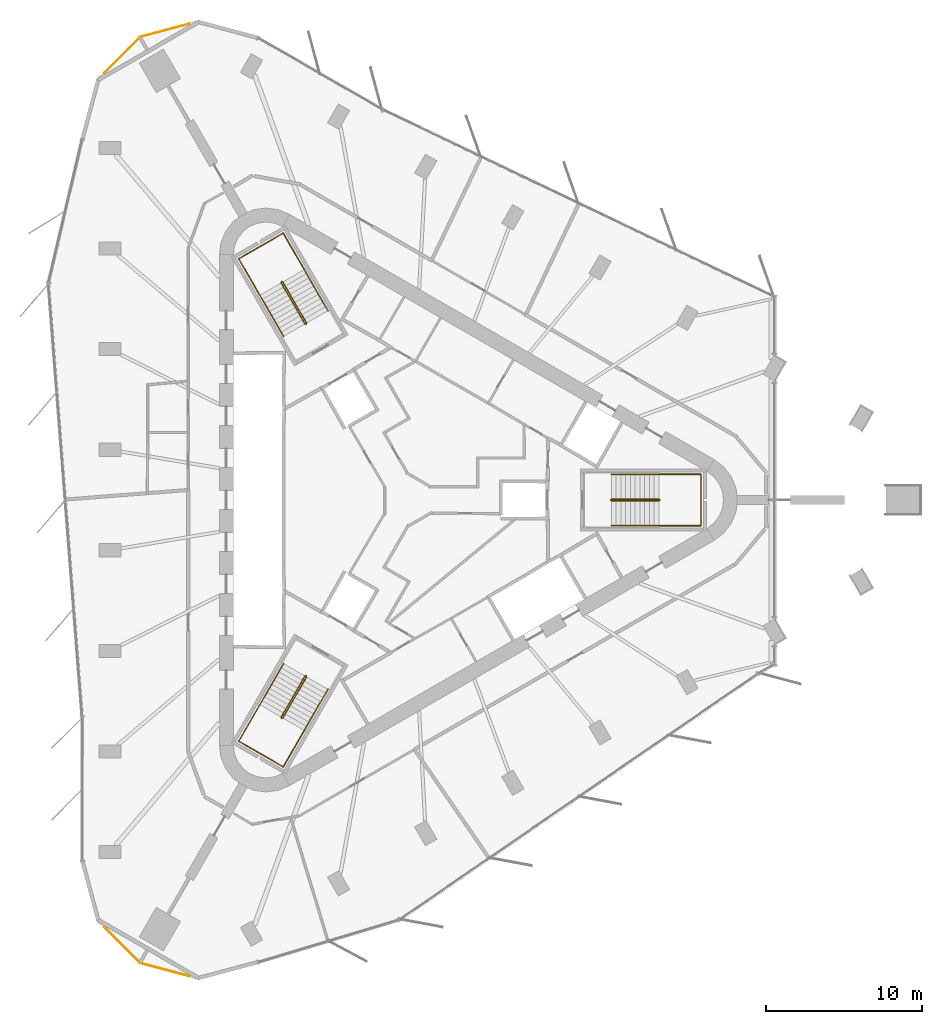
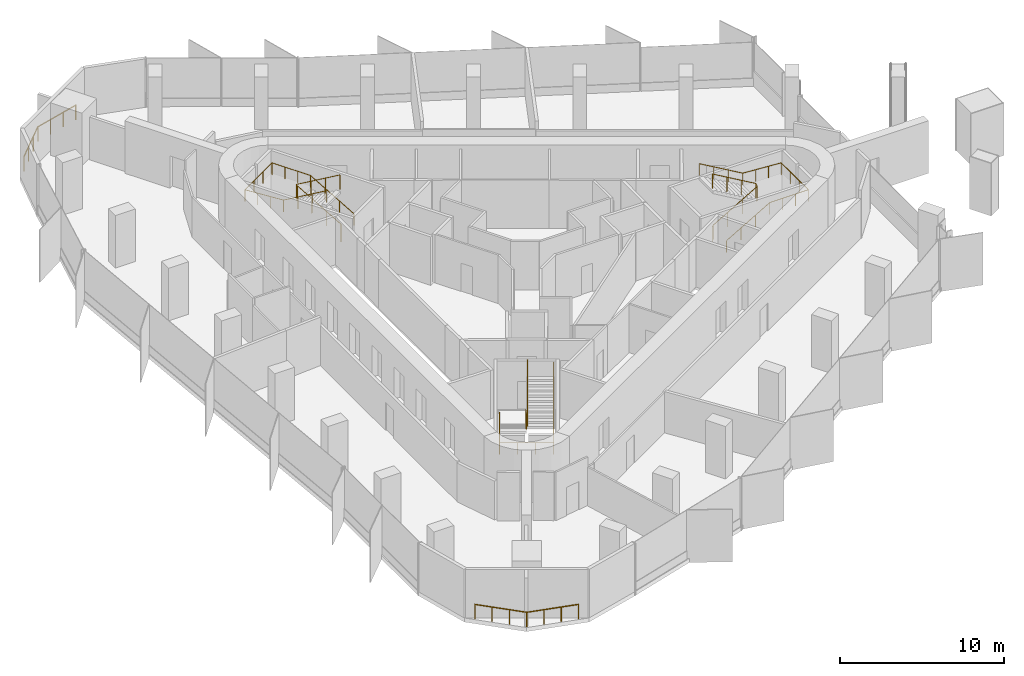
# One storey, part 12 of 12: 8 railings.
"""IFC4 building model written with IfcOpenShell, lengths in metres."""

from ifc_helpers import new_model, si_unit, direction, frame, origin, origin_2d, place, context, subcontext, project, spatial, circle, extrude, material, type_object, element, save


model = new_model("IFC4")

# Units and contexts
model_context = context("Model", 3, precision=1e-05, world=origin(), true_north=direction((0.0, 1.0)))
body_context = subcontext(model_context, "Body", "Model", "MODEL_VIEW")
ifc_project = project(units=[si_unit("LENGTHUNIT", "METRE"), si_unit("AREAUNIT", "SQUARE_METRE"), si_unit("VOLUMEUNIT", "CUBIC_METRE"), si_unit("PLANEANGLEUNIT", "RADIAN"), si_unit("MASSUNIT", "GRAM", prefix="KILO")], contexts=[model_context])

# Site, building, storey
site_placement = place(None, origin())
site = spatial("IfcSite", under=ifc_project, at=site_placement, CompositionType="ELEMENT")
building_placement = place(site_placement, origin())
building = spatial("IfcBuilding", under=site, at=building_placement, Name="Tanit Gate Tower", CompositionType="ELEMENT")
storey_placement = place(building_placement, frame((0.0, 0.0, 372.800048828125)))
storey = spatial("IfcBuildingStorey", under=building, at=storey_placement, Name="L85", CompositionType="ELEMENT", Elevation=372.800048828125)

# Railings
ifc_material_1 = material(Name="Stainless steel", Category="steel")
railing_type_1 = type_object("IfcRailingType", Name="Guard 1100 stainless steel balustrade", PredefinedType="GUARDRAIL", material=ifc_material_1)
railing_1_placement = place(storey_placement, frame((-14.027587890625, -30.60205078125, 0.0)))
element("IfcRailing", 1, at=railing_1_placement, inside=storey, type_object=railing_type_1, Name="Corner ledge guard L85 1", PredefinedType="GUARDRAIL", context=body_context, shape_type="SweptSolid", body=[
    extrude(circle(Radius=0.02392578125, at=origin_2d()), frame((0.0, 0.0, 1.076171875), z_axis=(-0.965931358652, 0.258798397161, 0.0), x_axis=(-0.258798397161, -0.965931358652, 0.0)), (0.0, 0.0, 1.0), 3.263916015625),
    extrude(circle(Radius=0.02392578125, at=origin_2d()), frame((-3.15283203125, 0.8447265625, 1.076171875), z_axis=(-0.707069380992, 0.707144179403, 0.0), x_axis=(-0.707144179403, -0.707069380992, 0.0)), (0.0, 0.0, 1.0), 3.263916015625),
    extrude(circle(Radius=0.02099609375, at=origin_2d()), origin(), (0.0, 0.0, 1.0), 1.052001953125),
    extrude(circle(Radius=0.02099609375, at=origin_2d()), frame((-1.051025390625, 0.281494140625, 0.0)), (0.0, 0.0, 1.0), 1.052001953125),
    extrude(circle(Radius=0.02099609375, at=origin_2d()), frame((-2.101806640625, 0.563232421875, 0.0)), (0.0, 0.0, 1.0), 1.052001953125),
    extrude(circle(Radius=0.02099609375, at=origin_2d()), frame((-3.15283203125, 0.8447265625, 0.0)), (0.0, 0.0, 1.0), 1.052001953125),
    extrude(circle(Radius=0.02099609375, at=origin_2d()), frame((-3.922119140625, 1.614013671875, 0.0)), (0.0, 0.0, 1.0), 1.052001953125),
    extrude(circle(Radius=0.02099609375, at=origin_2d()), frame((-4.69140625, 2.383544921875, 0.0)), (0.0, 0.0, 1.0), 1.052001953125),
    extrude(circle(Radius=0.02099609375, at=origin_2d()), frame((-5.460693359375, 3.15283203125, 0.0)), (0.0, 0.0, 1.0), 1.052001953125),
])
railing_2_placement = place(storey_placement, frame((-19.48828125, 27.44921875, 0.0)))
element("IfcRailing", 2, at=railing_2_placement, inside=storey, type_object=railing_type_1, Name="Corner ledge guard L85 2", PredefinedType="GUARDRAIL", context=body_context, shape_type="SweptSolid", body=[
    extrude(circle(Radius=0.02392578125, at=origin_2d()), frame((0.0, 0.0, 1.076171875), z_axis=(0.707069380992, 0.707144179403, 0.0), x_axis=(-0.707144179403, 0.707069380992, 0.0)), (0.0, 0.0, 1.0), 3.263916015625),
    extrude(circle(Radius=0.02392578125, at=origin_2d()), frame((2.307861328125, 2.30810546875, 1.076171875), z_axis=(0.965931358652, 0.258798397161, 0.0), x_axis=(-0.258798397161, 0.965931358652, 0.0)), (0.0, 0.0, 1.0), 3.263916015625),
    extrude(circle(Radius=0.02099609375, at=origin_2d()), origin(), (0.0, 0.0, 1.0), 1.052001953125),
    extrude(circle(Radius=0.02099609375, at=origin_2d()), frame((0.769287109375, 0.769287109375, 0.0)), (0.0, 0.0, 1.0), 1.052001953125),
    extrude(circle(Radius=0.02099609375, at=origin_2d()), frame((1.53857421875, 1.538818359375, 0.0)), (0.0, 0.0, 1.0), 1.052001953125),
    extrude(circle(Radius=0.02099609375, at=origin_2d()), frame((2.307861328125, 2.30810546875, 0.0)), (0.0, 0.0, 1.0), 1.052001953125),
    extrude(circle(Radius=0.02099609375, at=origin_2d()), frame((3.35888671875, 2.589599609375, 0.0)), (0.0, 0.0, 1.0), 1.052001953125),
    extrude(circle(Radius=0.02099609375, at=origin_2d()), frame((4.40966796875, 2.871337890625, 0.0)), (0.0, 0.0, 1.0), 1.052001953125),
    extrude(circle(Radius=0.02099609375, at=origin_2d()), frame((5.460693359375, 3.15283203125, 0.0)), (0.0, 0.0, 1.0), 1.052001953125),
])
ifc_material_2 = material(Name="Stainless steel balustrade", Category="steel")
railing_type_2 = type_object("IfcRailingType", Name="INT-STAIR-GUARD", PredefinedType="GUARDRAIL", material=ifc_material_2)
railing_3_placement = place(storey_placement, frame((13.044921875, 0.0048828125, 0.0)))
element("IfcRailing", 3, at=railing_3_placement, inside=storey, type_object=railing_type_2, Name="L85 S1 stair guard 1", PredefinedType="GUARDRAIL", context=body_context, shape_type="SweptSolid", body=[
    extrude(circle(Radius=0.02392578125, at=origin_2d()), frame((0.0, 0.0, 1.076171875), z_axis=(0.0, -1.0, 0.0), x_axis=(1.0, 0.0, 0.0)), (0.0, 0.0, 1.0), 0.009765625),
    extrude(circle(Radius=0.02392578125, at=origin_2d()), frame((0.0, -0.009765625, 1.076171875), z_axis=(0.262233686654, -0.262233686654, 0.928691007369), x_axis=(0.707106781187, 0.707106781187, 0.0)), (0.0, 0.0, 1.0), 0.19091796875),
    extrude(circle(Radius=0.02392578125, at=origin_2d()), frame((0.050048828125, -0.059814453125, 1.25341796875), z_axis=(0.864648382064, 0.0, 0.502377522779), x_axis=(0.0, 1.0, 0.0)), (0.0, 0.0, 1.0), 3.528564453125),
    extrude(circle(Radius=0.02392578125, at=origin_2d()), frame((3.10107421875, -0.059814453125, 3.02587890625), z_axis=(0.707106781187, 0.707106781187, 0.0), x_axis=(-0.707106781187, 0.707106781187, 0.0)), (0.0, 0.0, 1.0), 0.07080078125),
    extrude(circle(Radius=0.02392578125, at=origin_2d()), frame((3.151123046875, -0.009765625, 3.02587890625), z_axis=(0.0, 1.0, 0.0), x_axis=(-1.0, 0.0, 0.0)), (0.0, 0.0, 1.0), 0.009765625),
    extrude(circle(Radius=0.02392578125, at=origin_2d()), frame((3.151123046875, 0.0, 3.02587890625), z_axis=(-0.262233686654, 0.262233686654, 0.928691007369), x_axis=(-0.707106781187, -0.707106781187, 0.0)), (0.0, 0.0, 1.0), 0.19091796875),
    extrude(circle(Radius=0.02392578125, at=origin_2d()), frame((3.10107421875, 0.050048828125, 3.203125), z_axis=(-0.864648382064, 0.0, 0.502377522779), x_axis=(0.0, -1.0, 0.0)), (0.0, 0.0, 1.0), 3.528564453125),
    extrude(circle(Radius=0.02099609375, at=origin_2d()), origin(), (0.0, 0.0, 1.0), 1.052001953125),
    extrude(circle(Radius=0.02099609375, at=origin_2d()), frame((0.0, -0.009765625, 0.0)), (0.0, 0.0, 1.0), 1.052001953125),
    extrude(circle(Radius=0.02099609375, at=origin_2d()), frame((0.050048828125, -0.059814453125, 0.17724609375)), (0.0, 0.0, 1.0), 1.052001953125),
    extrude(circle(Radius=0.02099609375, at=origin_2d()), frame((1.067138671875, -0.059814453125, 0.76806640625)), (0.0, 0.0, 1.0), 1.052001953125),
    extrude(circle(Radius=0.02099609375, at=origin_2d()), frame((2.083984375, -0.059814453125, 1.359130859375)), (0.0, 0.0, 1.0), 1.052001953125),
    extrude(circle(Radius=0.02099609375, at=origin_2d()), frame((3.10107421875, -0.059814453125, 1.949951171875)), (0.0, 0.0, 1.0), 1.052001953125),
    extrude(circle(Radius=0.02099609375, at=origin_2d()), frame((3.151123046875, -0.009765625, 1.949951171875)), (0.0, 0.0, 1.0), 1.052001953125),
    extrude(circle(Radius=0.02099609375, at=origin_2d()), frame((3.151123046875, 0.0, 1.949951171875)), (0.0, 0.0, 1.0), 1.052001953125),
    extrude(circle(Radius=0.02099609375, at=origin_2d()), frame((3.10107421875, 0.050048828125, 2.127197265625)), (0.0, 0.0, 1.0), 1.052001953125),
    extrude(circle(Radius=0.02099609375, at=origin_2d()), frame((2.083984375, 0.050048828125, 2.718017578125)), (0.0, 0.0, 1.0), 1.052001953125),
    extrude(circle(Radius=0.02099609375, at=origin_2d()), frame((1.067138671875, 0.050048828125, 3.30908203125)), (0.0, 0.0, 1.0), 1.052001953125),
    extrude(circle(Radius=0.02099609375, at=origin_2d()), frame((0.050048828125, 0.050048828125, 3.89990234375)), (0.0, 0.0, 1.0), 1.052001953125),
])
railing_4_placement = place(storey_placement, frame((-6.527099609375, 11.29345703125, 0.0)))
element("IfcRailing", 4, at=railing_4_placement, inside=storey, type_object=railing_type_2, Name="L85 S2 stair guard 1", PredefinedType="GUARDRAIL", context=body_context, shape_type="SweptSolid", body=[
    extrude(circle(Radius=0.02392578125, at=origin_2d()), frame((0.0, 0.0, 1.076171875), z_axis=(0.868243142124, 0.496138938357, 0.0), x_axis=(-0.496138938357, 0.868243142124, 0.0)), (0.0, 0.0, 1.0), 0.01171875),
    extrude(circle(Radius=0.02392578125, at=origin_2d()), frame((0.01025390625, 0.005859375, 1.076171875), z_axis=(0.095941116058, 0.358180166617, 0.928710003441), x_axis=(-0.965948051503, 0.258736085224, 0.0)), (0.0, 0.0, 1.0), 0.19091796875),
    extrude(circle(Radius=0.02392578125, at=origin_2d()), frame((0.028564453125, 0.07421875, 1.25341796875), z_axis=(-0.4322777601, 0.748681545756, 0.50260509465), x_axis=(-0.866012246495, -0.500022788402, 0.0)), (0.0, 0.0, 1.0), 3.527099609375),
    extrude(circle(Radius=0.02392578125, at=origin_2d()), frame((-1.49609375, 2.71484375, 3.02587890625), z_axis=(-0.965715946433, 0.259601060869, 0.0), x_axis=(-0.259601060869, -0.965715946433, 0.0)), (0.0, 0.0, 1.0), 0.070556640625),
    extrude(circle(Radius=0.02392578125, at=origin_2d()), frame((-1.564208984375, 2.733154296875, 3.02587890625), z_axis=(-0.873197702015, -0.487366159264, 0.0), x_axis=(0.487366159264, -0.873197702015, 0.0)), (0.0, 0.0, 1.0), 0.011962890625),
    extrude(circle(Radius=0.02392578125, at=origin_2d()), frame((-1.57470703125, 2.727294921875, 3.02587890625), z_axis=(-0.095941116058, -0.358180166617, 0.928710003441), x_axis=(0.965948051503, -0.258736085224, 0.0)), (0.0, 0.0, 1.0), 0.19091796875),
    extrude(circle(Radius=0.02392578125, at=origin_2d()), frame((-1.593017578125, 2.658935546875, 3.203125), z_axis=(0.4322777601, -0.748681545756, 0.50260509465), x_axis=(0.866012246495, 0.500022788402, 0.0)), (0.0, 0.0, 1.0), 3.527099609375),
    extrude(circle(Radius=0.02099609375, at=origin_2d()), origin(), (0.0, 0.0, 1.0), 1.052001953125),
    extrude(circle(Radius=0.02099609375, at=origin_2d()), frame((0.01025390625, 0.005859375, 0.0)), (0.0, 0.0, 1.0), 1.052001953125),
    extrude(circle(Radius=0.02099609375, at=origin_2d()), frame((0.028564453125, 0.07421875, 0.17724609375)), (0.0, 0.0, 1.0), 1.052001953125),
    extrude(circle(Radius=0.02099609375, at=origin_2d()), frame((-0.479736328125, 0.954345703125, 0.76806640625)), (0.0, 0.0, 1.0), 1.052001953125),
    extrude(circle(Radius=0.02099609375, at=origin_2d()), frame((-0.98779296875, 1.834716796875, 1.359130859375)), (0.0, 0.0, 1.0), 1.052001953125),
    extrude(circle(Radius=0.02099609375, at=origin_2d()), frame((-1.49609375, 2.71484375, 1.949951171875)), (0.0, 0.0, 1.0), 1.052001953125),
    extrude(circle(Radius=0.02099609375, at=origin_2d()), frame((-1.564208984375, 2.733154296875, 1.949951171875)), (0.0, 0.0, 1.0), 1.052001953125),
    extrude(circle(Radius=0.02099609375, at=origin_2d()), frame((-1.57470703125, 2.727294921875, 1.949951171875)), (0.0, 0.0, 1.0), 1.052001953125),
    extrude(circle(Radius=0.02099609375, at=origin_2d()), frame((-1.593017578125, 2.658935546875, 2.127197265625)), (0.0, 0.0, 1.0), 1.052001953125),
    extrude(circle(Radius=0.02099609375, at=origin_2d()), frame((-1.084716796875, 1.77880859375, 2.718017578125)), (0.0, 0.0, 1.0), 1.052001953125),
    extrude(circle(Radius=0.02099609375, at=origin_2d()), frame((-0.57666015625, 0.8984375, 3.30908203125)), (0.0, 0.0, 1.0), 1.052001953125),
    extrude(circle(Radius=0.02099609375, at=origin_2d()), frame((-0.068359375, 0.018310546875, 3.89990234375)), (0.0, 0.0, 1.0), 1.052001953125),
])
railing_5_placement = place(storey_placement, frame((-6.51806640625, -11.2998046875, 0.0)))
element("IfcRailing", 5, at=railing_5_placement, inside=storey, type_object=railing_type_2, Name="L85 S3 stair guard 1", PredefinedType="GUARDRAIL", context=body_context, shape_type="SweptSolid", body=[
    extrude(circle(Radius=0.02392578125, at=origin_2d()), frame((0.0, 0.0, 1.076171875), z_axis=(-0.874157276122, 0.485642931179, 0.0), x_axis=(-0.485642931179, -0.874157276122, 0.0)), (0.0, 0.0, 1.0), 0.010009765625),
    extrude(circle(Radius=0.02392578125, at=origin_2d()), frame((-0.0087890625, 0.0048828125, 1.076171875), z_axis=(-0.358223840744, -0.094673443625, 0.928823244215), x_axis=(0.255512919477, -0.966805641264, 0.0)), (0.0, 0.0, 1.0), 0.19091796875),
    extrude(circle(Radius=0.02392578125, at=origin_2d()), frame((-0.0771484375, -0.01318359375, 1.25341796875), z_axis=(-0.432289778901, -0.748827189027, 0.502377734411), x_axis=(0.866048339477, -0.499960272111, 0.0)), (0.0, 0.0, 1.0), 3.528564453125),
    extrude(circle(Radius=0.02392578125, at=origin_2d()), frame((-1.6025390625, -2.655517578125, 3.02587890625), z_axis=(0.258736085224, -0.965948051503, 0.0), x_axis=(0.965948051503, 0.258736085224, 0.0)), (0.0, 0.0, 1.0), 0.07080078125),
    extrude(circle(Radius=0.02392578125, at=origin_2d()), frame((-1.584228515625, -2.723876953125, 3.02587890625), z_axis=(0.868243142124, -0.496138938357, 0.0), x_axis=(0.496138938357, 0.868243142124, 0.0)), (0.0, 0.0, 1.0), 0.009765625),
    extrude(circle(Radius=0.02392578125, at=origin_2d()), frame((-1.57568359375, -2.728759765625, 3.02587890625), z_axis=(0.358180166617, 0.095941116058, 0.928710003441), x_axis=(-0.258736085224, 0.965948051503, 0.0)), (0.0, 0.0, 1.0), 0.19091796875),
    extrude(circle(Radius=0.02392578125, at=origin_2d()), frame((-1.50732421875, -2.71044921875, 3.203125), z_axis=(0.432368434633, 0.748774395838, 0.502388734816), x_axis=(-0.865993683553, 0.500054937028, 0.0)), (0.0, 0.0, 1.0), 3.528564453125),
    extrude(circle(Radius=0.02099609375, at=origin_2d()), origin(), (0.0, 0.0, 1.0), 1.052001953125),
    extrude(circle(Radius=0.02099609375, at=origin_2d()), frame((-0.0087890625, 0.0048828125, 0.0)), (0.0, 0.0, 1.0), 1.052001953125),
    extrude(circle(Radius=0.02099609375, at=origin_2d()), frame((-0.0771484375, -0.01318359375, 0.17724609375)), (0.0, 0.0, 1.0), 1.052001953125),
    extrude(circle(Radius=0.02099609375, at=origin_2d()), frame((-0.585693359375, -0.89404296875, 0.76806640625)), (0.0, 0.0, 1.0), 1.052001953125),
    extrude(circle(Radius=0.02099609375, at=origin_2d()), frame((-1.093994140625, -1.774658203125, 1.359130859375)), (0.0, 0.0, 1.0), 1.052001953125),
    extrude(circle(Radius=0.02099609375, at=origin_2d()), frame((-1.6025390625, -2.655517578125, 1.949951171875)), (0.0, 0.0, 1.0), 1.052001953125),
    extrude(circle(Radius=0.02099609375, at=origin_2d()), frame((-1.584228515625, -2.723876953125, 1.949951171875)), (0.0, 0.0, 1.0), 1.052001953125),
    extrude(circle(Radius=0.02099609375, at=origin_2d()), frame((-1.57568359375, -2.728759765625, 1.949951171875)), (0.0, 0.0, 1.0), 1.052001953125),
    extrude(circle(Radius=0.02099609375, at=origin_2d()), frame((-1.50732421875, -2.71044921875, 2.127197265625)), (0.0, 0.0, 1.0), 1.052001953125),
    extrude(circle(Radius=0.02099609375, at=origin_2d()), frame((-0.998779296875, -1.829833984375, 2.718017578125)), (0.0, 0.0, 1.0), 1.052001953125),
    extrude(circle(Radius=0.02099609375, at=origin_2d()), frame((-0.490234375, -0.948974609375, 3.30908203125)), (0.0, 0.0, 1.0), 1.052001953125),
    extrude(circle(Radius=0.02099609375, at=origin_2d()), frame((0.018310546875, -0.068359375, 3.89990234375)), (0.0, 0.0, 1.0), 1.052001953125),
])
ifc_material_3 = material(Name="Stainless steel handrail", Category="steel")
railing_type_3 = type_object("IfcRailingType", Name="INT-STAIR-HANDRAIL", PredefinedType="HANDRAIL", material=ifc_material_3)
railing_6_placement = place(storey_placement, frame((13.094970703125, -1.64990234375, 0.17724609375)))
element("IfcRailing", 6, at=railing_6_placement, inside=storey, type_object=railing_type_3, Name="L85 S1 stair handrail 1", PredefinedType="HANDRAIL", context=body_context, shape_type="SweptSolid", body=[
    extrude(circle(Radius=0.02392578125, at=origin_2d()), frame((0.0, 0.0, 0.8759765625), z_axis=(0.864648382064, 0.0, 0.502377522779), x_axis=(0.0, 1.0, 0.0)), (0.0, 0.0, 1.0), 3.528564453125),
    extrude(circle(Radius=0.02392578125, at=origin_2d()), frame((3.051025390625, 0.0, 2.6484375), z_axis=(1.0, 0.0, 0.0), x_axis=(0.0, 1.0, 0.0)), (0.0, 0.0, 1.0), 2.7041015625),
    extrude(circle(Radius=0.02392578125, at=origin_2d()), frame((5.755126953125, 0.0, 2.6484375), z_axis=(0.0, 1.0, 0.0), x_axis=(-1.0, 0.0, 0.0)), (0.0, 0.0, 1.0), 3.2998046875),
    extrude(circle(Radius=0.02392578125, at=origin_2d()), frame((5.755126953125, 3.2998046875, 2.6484375), z_axis=(-0.997858684482, 0.0, 0.065406771843), x_axis=(0.0, -1.0, 0.0)), (0.0, 0.0, 1.0), 2.7099609375),
    extrude(circle(Radius=0.02392578125, at=origin_2d()), frame((3.051025390625, 3.2998046875, 2.82568359375), z_axis=(-0.864648382064, 0.0, 0.502377522779), x_axis=(0.0, -1.0, 0.0)), (0.0, 0.0, 1.0), 3.528564453125),
    extrude(circle(Radius=0.02099609375, at=origin_2d()), origin(), (0.0, 0.0, 1.0), 0.851806640625),
    extrude(circle(Radius=0.02099609375, at=origin_2d()), frame((1.01708984375, 0.0, 0.5908203125)), (0.0, 0.0, 1.0), 0.851806640625),
    extrude(circle(Radius=0.02099609375, at=origin_2d()), frame((2.033935546875, 0.0, 1.181884765625)), (0.0, 0.0, 1.0), 0.851806640625),
    extrude(circle(Radius=0.02099609375, at=origin_2d()), frame((3.051025390625, 0.0, 1.772705078125)), (0.0, 0.0, 1.0), 0.851806640625),
    extrude(circle(Radius=0.02099609375, at=origin_2d()), frame((3.952392578125, 0.0, 1.772705078125)), (0.0, 0.0, 1.0), 0.851806640625),
    extrude(circle(Radius=0.02099609375, at=origin_2d()), frame((4.853759765625, 0.0, 1.772705078125)), (0.0, 0.0, 1.0), 0.851806640625),
    extrude(circle(Radius=0.02099609375, at=origin_2d()), frame((5.755126953125, 0.0, 1.772705078125)), (0.0, 0.0, 1.0), 0.851806640625),
    extrude(circle(Radius=0.02099609375, at=origin_2d()), frame((5.755126953125, 1.099853515625, 1.772705078125)), (0.0, 0.0, 1.0), 0.851806640625),
    extrude(circle(Radius=0.02099609375, at=origin_2d()), frame((5.755126953125, 2.199951171875, 1.772705078125)), (0.0, 0.0, 1.0), 0.851806640625),
    extrude(circle(Radius=0.02099609375, at=origin_2d()), frame((5.755126953125, 3.2998046875, 1.772705078125)), (0.0, 0.0, 1.0), 0.851806640625),
    extrude(circle(Radius=0.02099609375, at=origin_2d()), frame((4.853759765625, 3.2998046875, 1.831787109375)), (0.0, 0.0, 1.0), 0.851806640625),
    extrude(circle(Radius=0.02099609375, at=origin_2d()), frame((3.952392578125, 3.2998046875, 1.890869140625)), (0.0, 0.0, 1.0), 0.851806640625),
    extrude(circle(Radius=0.02099609375, at=origin_2d()), frame((3.051025390625, 3.2998046875, 1.949951171875)), (0.0, 0.0, 1.0), 0.851806640625),
    extrude(circle(Radius=0.02099609375, at=origin_2d()), frame((2.033935546875, 3.2998046875, 2.540771484375)), (0.0, 0.0, 1.0), 0.851806640625),
    extrude(circle(Radius=0.02099609375, at=origin_2d()), frame((1.01708984375, 3.2998046875, 3.1318359375)), (0.0, 0.0, 1.0), 0.851806640625),
    extrude(circle(Radius=0.02099609375, at=origin_2d()), frame((0.0, 3.2998046875, 3.72265625)), (0.0, 0.0, 1.0), 0.851806640625),
])
railing_7_placement = place(storey_placement, frame((-5.1181640625, 12.164794921875, 0.17724609375)))
element("IfcRailing", 7, at=railing_7_placement, inside=storey, type_object=railing_type_3, Name="L85 S2 stair handrail 1", PredefinedType="HANDRAIL", context=body_context, shape_type="SweptSolid", body=[
    extrude(circle(Radius=0.02392578125, at=origin_2d()), frame((0.0, 0.0, 0.8759765625), z_axis=(-0.432221472453, 0.748703947157, 0.502620133164), x_axis=(-0.866046917185, -0.499962735845, 0.0)), (0.0, 0.0, 1.0), 3.52685546875),
    extrude(circle(Radius=0.02392578125, at=origin_2d()), frame((-1.5244140625, 2.640625, 2.6484375), z_axis=(-0.500019123664, 0.86601436245, 0.0), x_axis=(-0.86601436245, -0.500019123664, 0.0)), (0.0, 0.0, 1.0), 2.70703125),
    extrude(circle(Radius=0.02392578125, at=origin_2d()), frame((-2.8779296875, 4.98486328125, 2.6484375), z_axis=(-0.866008176907, -0.50002983664, 0.0), x_axis=(0.50002983664, -0.866008176907, 0.0)), (0.0, 0.0, 1.0), 3.300048828125),
    extrude(circle(Radius=0.02392578125, at=origin_2d()), frame((-5.73583984375, 3.334716796875, 2.6484375), z_axis=(0.498989459885, -0.864141018102, 0.065343857842), x_axis=(0.865991810323, 0.500058181068, 0.0)), (0.0, 0.0, 1.0), 2.71240234375),
    extrude(circle(Radius=0.02392578125, at=origin_2d()), frame((-4.38232421875, 0.99072265625, 2.82568359375), z_axis=(0.432255358616, -0.748711963836, 0.502579048665), x_axis=(0.866032263162, 0.499988119021, 0.0)), (0.0, 0.0, 1.0), 3.527099609375),
    extrude(circle(Radius=0.02099609375, at=origin_2d()), origin(), (0.0, 0.0, 1.0), 0.851806640625),
    extrude(circle(Radius=0.02099609375, at=origin_2d()), frame((-0.508056640625, 0.880126953125, 0.5908203125)), (0.0, 0.0, 1.0), 0.851806640625),
    extrude(circle(Radius=0.02099609375, at=origin_2d()), frame((-1.016357421875, 1.760498046875, 1.181884765625)), (0.0, 0.0, 1.0), 0.851806640625),
    extrude(circle(Radius=0.02099609375, at=origin_2d()), frame((-1.5244140625, 2.640625, 1.772705078125)), (0.0, 0.0, 1.0), 0.851806640625),
    extrude(circle(Radius=0.02099609375, at=origin_2d()), frame((-1.9755859375, 3.422119140625, 1.772705078125)), (0.0, 0.0, 1.0), 0.851806640625),
    extrude(circle(Radius=0.02099609375, at=origin_2d()), frame((-2.4267578125, 4.203369140625, 1.772705078125)), (0.0, 0.0, 1.0), 0.851806640625),
    extrude(circle(Radius=0.02099609375, at=origin_2d()), frame((-2.8779296875, 4.98486328125, 1.772705078125)), (0.0, 0.0, 1.0), 0.851806640625),
    extrude(circle(Radius=0.02099609375, at=origin_2d()), frame((-3.83056640625, 4.434814453125, 1.772705078125)), (0.0, 0.0, 1.0), 0.851806640625),
    extrude(circle(Radius=0.02099609375, at=origin_2d()), frame((-4.783203125, 3.884765625, 1.772705078125)), (0.0, 0.0, 1.0), 0.851806640625),
    extrude(circle(Radius=0.02099609375, at=origin_2d()), frame((-5.73583984375, 3.334716796875, 1.772705078125)), (0.0, 0.0, 1.0), 0.851806640625),
    extrude(circle(Radius=0.02099609375, at=origin_2d()), frame((-5.28466796875, 2.553466796875, 1.831787109375)), (0.0, 0.0, 1.0), 0.851806640625),
    extrude(circle(Radius=0.02099609375, at=origin_2d()), frame((-4.83349609375, 1.77197265625, 1.890869140625)), (0.0, 0.0, 1.0), 0.851806640625),
    extrude(circle(Radius=0.02099609375, at=origin_2d()), frame((-4.38232421875, 0.99072265625, 1.949951171875)), (0.0, 0.0, 1.0), 0.851806640625),
    extrude(circle(Radius=0.02099609375, at=origin_2d()), frame((-3.8740234375, 0.1103515625, 2.540771484375)), (0.0, 0.0, 1.0), 0.851806640625),
    extrude(circle(Radius=0.02099609375, at=origin_2d()), frame((-3.365966796875, -0.769775390625, 3.1318359375)), (0.0, 0.0, 1.0), 0.851806640625),
    extrude(circle(Radius=0.02099609375, at=origin_2d()), frame((-2.857666015625, -1.650146484375, 3.72265625)), (0.0, 0.0, 1.0), 0.851806640625),
])
railing_8_placement = place(storey_placement, frame((-7.9765625, -10.515625, 0.17724609375)))
element("IfcRailing", 8, at=railing_8_placement, inside=storey, type_object=railing_type_3, Name="L85 S3 stair handrail 1", PredefinedType="HANDRAIL", context=body_context, shape_type="SweptSolid", body=[
    extrude(circle(Radius=0.02392578125, at=origin_2d()), frame((0.0, 0.0, 0.8759765625), z_axis=(-0.432289778901, -0.748827189027, 0.502377734411), x_axis=(0.866048339477, -0.499960272111, 0.0)), (0.0, 0.0, 1.0), 3.528564453125),
    extrude(circle(Radius=0.02392578125, at=origin_2d()), frame((-1.525390625, -2.642333984375, 2.6484375), z_axis=(-0.50004290449, -0.866000631449, 0.0), x_axis=(0.866000631449, -0.50004290449, 0.0)), (0.0, 0.0, 1.0), 2.703857421875),
    extrude(circle(Radius=0.02392578125, at=origin_2d()), frame((-2.87744140625, -4.98388671875, 2.6484375), z_axis=(0.866008176907, -0.50002983664, 0.0), x_axis=(0.50002983664, 0.866008176907, 0.0)), (0.0, 0.0, 1.0), 3.300048828125),
    extrude(circle(Radius=0.02392578125, at=origin_2d()), frame((-0.01953125, -6.634033203125, 2.6484375), z_axis=(0.498933124603, 0.864168748861, 0.065407267689), x_axis=(-0.866023205937, 0.500003806764, 0.0)), (0.0, 0.0, 1.0), 2.7099609375),
    extrude(circle(Radius=0.02392578125, at=origin_2d()), frame((1.33251953125, -4.292236328125, 2.82568359375), z_axis=(0.432289778901, 0.748827189027, 0.502377734411), x_axis=(-0.866048339477, 0.499960272111, 0.0)), (0.0, 0.0, 1.0), 3.528564453125),
    extrude(circle(Radius=0.02099609375, at=origin_2d()), origin(), (0.0, 0.0, 1.0), 0.851806640625),
    extrude(circle(Radius=0.02099609375, at=origin_2d()), frame((-0.508544921875, -0.880859375, 0.5908203125)), (0.0, 0.0, 1.0), 0.851806640625),
    extrude(circle(Radius=0.02099609375, at=origin_2d()), frame((-1.016845703125, -1.761474609375, 1.181884765625)), (0.0, 0.0, 1.0), 0.851806640625),
    extrude(circle(Radius=0.02099609375, at=origin_2d()), frame((-1.525390625, -2.642333984375, 1.772705078125)), (0.0, 0.0, 1.0), 0.851806640625),
    extrude(circle(Radius=0.02099609375, at=origin_2d()), frame((-1.97607421875, -3.4228515625, 1.772705078125)), (0.0, 0.0, 1.0), 0.851806640625),
    extrude(circle(Radius=0.02099609375, at=origin_2d()), frame((-2.4267578125, -4.203369140625, 1.772705078125)), (0.0, 0.0, 1.0), 0.851806640625),
    extrude(circle(Radius=0.02099609375, at=origin_2d()), frame((-2.87744140625, -4.98388671875, 1.772705078125)), (0.0, 0.0, 1.0), 0.851806640625),
    extrude(circle(Radius=0.02099609375, at=origin_2d()), frame((-1.9248046875, -5.533935546875, 1.772705078125)), (0.0, 0.0, 1.0), 0.851806640625),
    extrude(circle(Radius=0.02099609375, at=origin_2d()), frame((-0.97216796875, -6.083984375, 1.772705078125)), (0.0, 0.0, 1.0), 0.851806640625),
    extrude(circle(Radius=0.02099609375, at=origin_2d()), frame((-0.01953125, -6.634033203125, 1.772705078125)), (0.0, 0.0, 1.0), 0.851806640625),
    extrude(circle(Radius=0.02099609375, at=origin_2d()), frame((0.43115234375, -5.853515625, 1.831787109375)), (0.0, 0.0, 1.0), 0.851806640625),
    extrude(circle(Radius=0.02099609375, at=origin_2d()), frame((0.8818359375, -5.07275390625, 1.890869140625)), (0.0, 0.0, 1.0), 0.851806640625),
    extrude(circle(Radius=0.02099609375, at=origin_2d()), frame((1.33251953125, -4.292236328125, 1.949951171875)), (0.0, 0.0, 1.0), 0.851806640625),
    extrude(circle(Radius=0.02099609375, at=origin_2d()), frame((1.841064453125, -3.411376953125, 2.540771484375)), (0.0, 0.0, 1.0), 0.851806640625),
    extrude(circle(Radius=0.02099609375, at=origin_2d()), frame((2.349365234375, -2.53076171875, 3.1318359375)), (0.0, 0.0, 1.0), 0.851806640625),
    extrude(circle(Radius=0.02099609375, at=origin_2d()), frame((2.85791015625, -1.64990234375, 3.72265625)), (0.0, 0.0, 1.0), 0.851806640625),
])

save(model, "model.ifc")
